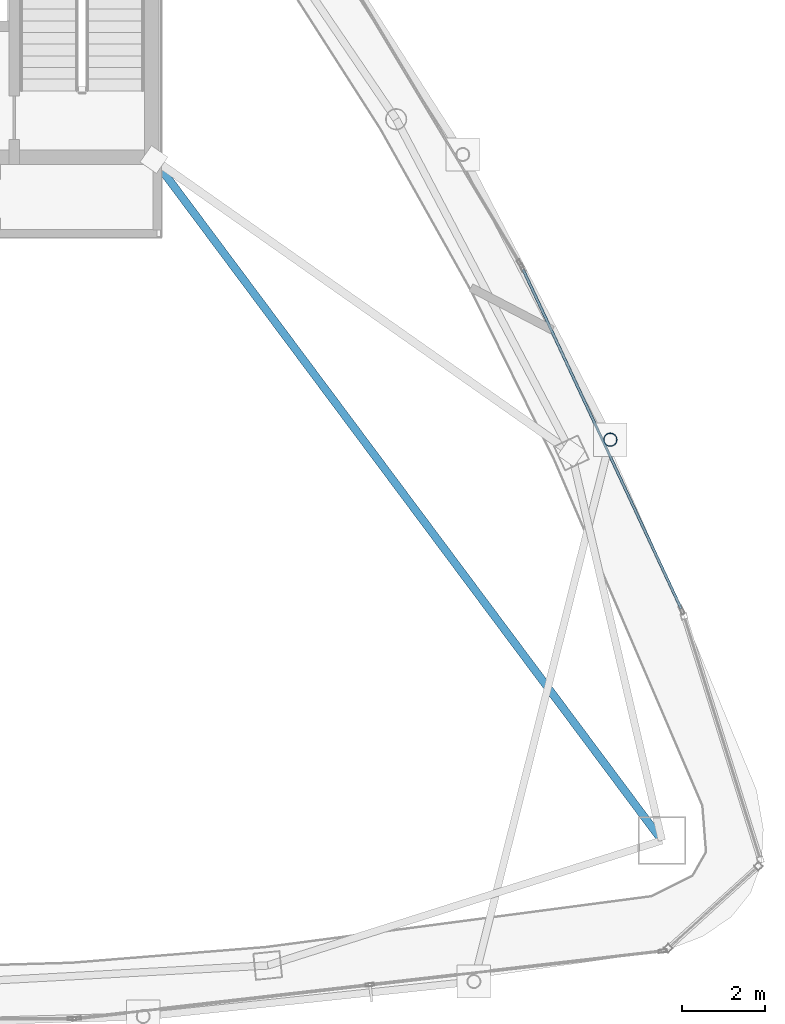
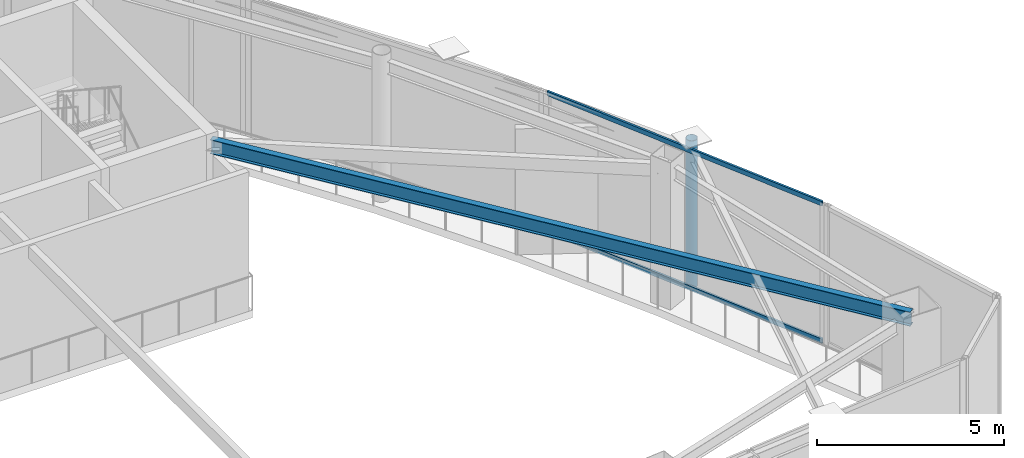
# One storey, part 12 of 20: 3 members, 1 beam, 1 element without a shape of its own.
"""IFC4 building model written with IfcOpenShell, lengths in metres."""

from ifc_helpers import new_model, si_unit, direction, frame, origin, origin_2d, place, context, subcontext, project, spatial, hollow_rectangle, hollow_circle, i_section, extrude, material, layer, layer_set, material_profile, profile_set, type_object, element, aggregate, save


model = new_model("IFC4")

# Units and contexts
model_context = context("Model", 3, precision=1e-05, world=origin(), true_north=direction((0.0, 1.0)))
body_context = subcontext(model_context, "Body", "Model", "MODEL_VIEW")
ifc_project = project(units=[si_unit("LENGTHUNIT", "METRE"), si_unit("AREAUNIT", "SQUARE_METRE"), si_unit("VOLUMEUNIT", "CUBIC_METRE"), si_unit("PLANEANGLEUNIT", "RADIAN"), si_unit("MASSUNIT", "GRAM", prefix="KILO")], contexts=[model_context])

# Site, building, storey
site_placement = place(None, origin())
site = spatial("IfcSite", under=ifc_project, at=site_placement, CompositionType="ELEMENT")
building_placement = place(site_placement, origin())
building = spatial("IfcBuilding", under=site, at=building_placement, Name="Orvanel Arch Residences", CompositionType="ELEMENT")
storey_placement = place(building_placement, frame((0.0, 0.0, 300.5)))
storey = spatial("IfcBuildingStorey", under=building, at=storey_placement, Name="L84", CompositionType="ELEMENT", Elevation=300.5)

# Beam
ifc_material_1 = material(Name="Structural steel AS/NZS 3679.1 Grade 300 (300 MPa)", Category="steel")
ifc_material_profile_1 = material_profile(ifc_material_1, i_section(OverallWidth=0.19091796875, OverallDepth=0.4599609375, WebThickness=0.010009765625, FlangeThickness=0.01611328125, at=origin_2d()), Name="460UB82.1")
ifc_profile_set_1 = profile_set([ifc_material_profile_1], Name="Structural steel AS/NZS 3679.1 Grade 300 (300 MPa)")
beam_type = type_object("IfcBeamType", Name="BG-460UB", PredefinedType="BEAM", material=ifc_profile_set_1)
beam_placement = place(storey_placement, frame((39.625, 26.675048828125, 4.320068359375), z_axis=(0.597893733742, -0.801575375839, 0.0), x_axis=(0.801575375839, 0.597893733742, 0.0)))
element("IfcBeam", 1, at=beam_placement, inside=storey, type_object=beam_type, Name="L84 South-East Radial Girder", PredefinedType="BEAM", context=body_context, shape_type="SweptSolid", body=[
    extrude(i_section(OverallWidth=0.19091796875, OverallDepth=0.4599609375, WebThickness=0.010009765625, FlangeThickness=0.01611328125, at=origin_2d()), origin(), (0.0, 0.0, 1.0), 20.36474609375),
])

# Member
ifc_material_2 = material(Name="Structural steel AS/NZS 1163 C350L0 (Grade 350)", Category="steel")
ifc_material_profile_2 = material_profile(ifc_material_2, hollow_circle(Radius=0.162109375, WallThickness=0.0126953125, at=origin_2d()), Name="CHS324x12.7")
ifc_profile_set_2 = profile_set([ifc_material_profile_2], Name="Structural steel AS/NZS 1163 C350L0 (Grade 350)")
member_type_1 = type_object("IfcMemberType", Name="ST-324CHS-EXT", PredefinedType="STRUT", material=ifc_profile_set_2)
member_1_placement = place(storey_placement, frame((50.56396484375, 19.9580078125, 0.0), z_axis=(0.0, 0.0, 1.0), x_axis=(1.0, 0.0, 0.0)))
element("IfcMember", 2, at=member_1_placement, inside=storey, type_object=member_type_1, Name="L84 Outer Perimeter Frame Post 09", PredefinedType="STRUT", context=body_context, shape_type="SweptSolid", body=[
    extrude(hollow_circle(Radius=0.162109375, WallThickness=0.0126953125, at=origin_2d()), origin(), (0.0, 0.0, 1.0), 4.800048828125),
])

# Curtain wall, members
ifc_material_3 = material(Name="Bronze-anodised aluminium AA6063-T6", Category="aluminium")
ifc_layer = layer(ifc_material_3, 0.2099609375)
ifc_layer_set = layer_set([ifc_layer], Name="Bronze-anodised aluminium AA6063-T6")
curtain_wall_type = type_object("IfcCurtainWallType", Name="CW7-TOP-SYS", PredefinedType="NOTDEFINED", material=ifc_layer_set)
curtain_wall_placement = place(storey_placement, origin())
curtain_wall = element("IfcCurtainWall", 3, at=curtain_wall_placement, inside=storey, type_object=curtain_wall_type, Name="L84 CW7-TOP-SYS Unitised Curtain Wall", PredefinedType="NOTDEFINED")
ifc_material_profile_3 = material_profile(ifc_material_3, hollow_rectangle(XDim=0.06494140625, YDim=0.14990234375, WallThickness=0.00390625, at=origin_2d()), Name="ALU150x65x4")
ifc_profile_set_3 = profile_set([ifc_material_profile_3], Name="Bronze-anodised aluminium AA6063-T6")
member_type_2 = type_object("IfcMemberType", Name="TRN-150x65", PredefinedType="USERDEFINED", material=ifc_profile_set_3)
member_2_placement = place(storey_placement, frame((52.26220703125, 15.906005859375, 0.032470703125), z_axis=(-0.422353742723, 0.906431087291, 0.0), x_axis=(-0.906431087291, -0.422353742723, 0.0)))
member_2 = element("IfcMember", 4, at=member_2_placement, type_object=member_type_2, Name="CW-S7 transom 1.1", ObjectType="TRANSOM", PredefinedType="USERDEFINED", context=body_context, shape_type="SweptSolid", body=[
    extrude(hollow_rectangle(XDim=0.06494140625, YDim=0.14990234375, WallThickness=0.00390625, at=origin_2d()), origin(), (0.0, 0.0, 1.0), 8.974853515625),
])
member_3_placement = place(storey_placement, frame((52.26220703125, 15.906005859375, 4.517578125), z_axis=(-0.422353742723, 0.906431087291, 0.0), x_axis=(-0.906431087291, -0.422353742723, 0.0)))
member_3 = element("IfcMember", 5, at=member_3_placement, type_object=member_type_2, Name="CW-S7 transom 1.2", ObjectType="TRANSOM", PredefinedType="USERDEFINED", context=body_context, shape_type="SweptSolid", body=[
    extrude(hollow_rectangle(XDim=0.06494140625, YDim=0.14990234375, WallThickness=0.00390625, at=origin_2d()), origin(), (0.0, 0.0, 1.0), 8.974853515625),
])
aggregate(curtain_wall, [member_2, member_3])

save(model, "model.ifc")
